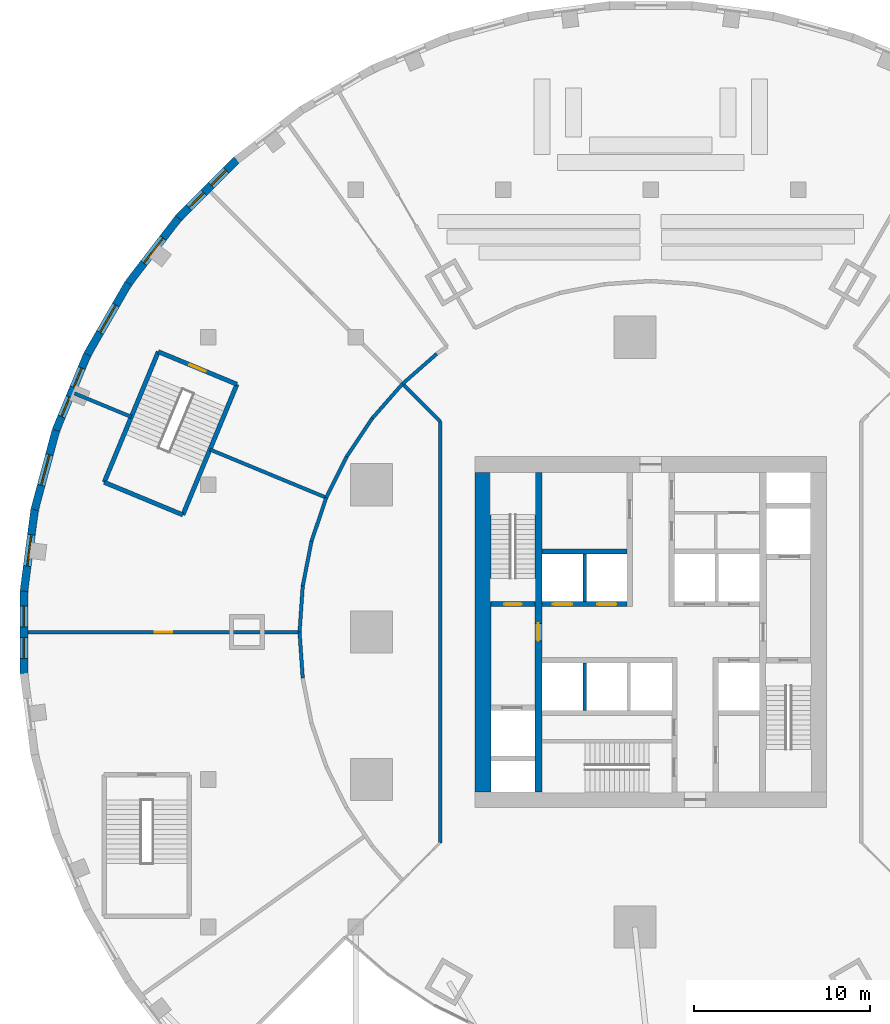
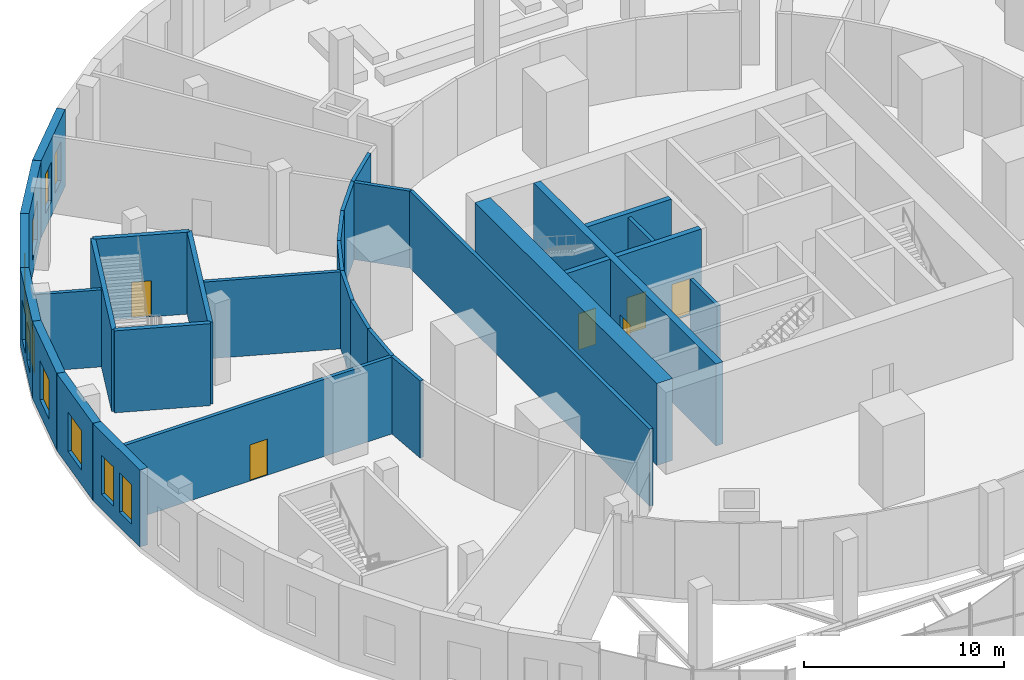
# One storey, part 9 of 17: 31 walls, 10 windows, 6 doors, 16 openings.
"""IFC4 building model written with IfcOpenShell, lengths in metres."""

import ifcopenshell
import ifcopenshell.guid

model = None  # the IFC model being written
_history = None  # IfcOwnerHistory: only IFC2X3 demands one
_inside = {}  # id of a spatial element -> (the spatial element, [elements in it])
_under = {}  # id of a project, library or spatial element -> (it, [spatial elements below it])
_declared = {}  # id of a project -> (the project, [libraries it declares])
_typed = {}  # id of a type object -> (the type object, [elements of that type])
_made_of = {}  # id of a material, layer set ... -> (it, [elements and type objects made of it])


def new_model(schema):
    """Start an empty IFC model of exactly this schema.

    Asked for "IFC4X3", IfcOpenShell would pick the latest addendum, in which some entities
    have other attributes; the version numbers below select the first issue.
    IFC2X3 requires an IfcOwnerHistory on every rooted entity: one is made here for all.
    """
    global model, _history
    if schema == "IFC4X3":
        model = ifcopenshell.file(schema_version=(4, 3, 0, 0))
    else:
        model = ifcopenshell.file(schema=schema)
    _inside.clear()
    _under.clear()
    _declared.clear()
    _typed.clear()
    _made_of.clear()
    _history = None
    if model.schema == "IFC2X3":
        org = make("IfcOrganization", Name="unknown")
        user = make(
            "IfcPersonAndOrganization",
            ThePerson=make("IfcPerson", FamilyName="unknown"),
            TheOrganization=org,
        )
        app = make(
            "IfcApplication",
            ApplicationDeveloper=org,
            Version="unknown",
            ApplicationFullName="unknown",
            ApplicationIdentifier="unknown",
        )
        _history = make(
            "IfcOwnerHistory",
            OwningUser=user,
            OwningApplication=app,
            ChangeAction="ADDED",
            CreationDate=0,
        )
    return model


def make(cls, **values):
    """One entity of the class cls with the attributes given. An attribute that is None is left unset."""
    return model.create_entity(
        cls, **{name: value for name, value in values.items() if value is not None}
    )


def rooted(cls, **values):
    """An entity with a GlobalId (a new one), such as an element, a storey or a relation."""
    return make(cls, GlobalId=ifcopenshell.guid.new(), OwnerHistory=_history, **values)


def si_unit(unit_type, name, prefix=None):
    """IfcSIUnit, for example si_unit("LENGTHUNIT", "METRE", prefix="MILLI")."""
    return make("IfcSIUnit", UnitType=unit_type, Prefix=prefix, Name=name)


def assignment(units):
    """IfcUnitAssignment: the units of a project."""
    return None if units is None else make("IfcUnitAssignment", Units=units)


def point(xyz):
    """IfcCartesianPoint."""
    return None if xyz is None else make("IfcCartesianPoint", Coordinates=xyz)


def direction(xyz):
    """IfcDirection."""
    return None if xyz is None else make("IfcDirection", DirectionRatios=xyz)


def frame(location, z_axis=None, x_axis=None):
    """IfcAxis2Placement3D, a coordinate frame: its origin and axes. An axis left out is left unset."""
    return make(
        "IfcAxis2Placement3D",
        Location=point(location),
        Axis=direction(z_axis),
        RefDirection=direction(x_axis),
    )


def frame_2d(location, x_axis=None):
    """IfcAxis2Placement2D, a coordinate frame in the plane: its origin and x axis."""
    return make(
        "IfcAxis2Placement2D", Location=point(location), RefDirection=direction(x_axis)
    )


def origin():
    """The frame at (0, 0, 0) with its axes left unset."""
    return frame((0.0, 0.0, 0.0))


def place(relative_to, where):
    """IfcLocalPlacement: puts the frame where relative to a parent placement (None: the world)."""
    return make(
        "IfcLocalPlacement", PlacementRelTo=relative_to, RelativePlacement=where
    )


def context(
    kind, dimensions, precision=None, world=None, true_north=None, identifier=None
):
    """IfcGeometricRepresentationContext, for example the 3D "Model" context."""
    return make(
        "IfcGeometricRepresentationContext",
        ContextIdentifier=identifier,
        ContextType=kind,
        CoordinateSpaceDimension=dimensions,
        Precision=precision,
        WorldCoordinateSystem=world,
        TrueNorth=true_north,
    )


def subcontext(parent, identifier, kind, view, scale=None):
    """IfcGeometricRepresentationSubContext, for example "Body" below "Model"."""
    return make(
        "IfcGeometricRepresentationSubContext",
        ContextIdentifier=identifier,
        ContextType=kind,
        ParentContext=parent,
        TargetScale=scale,
        TargetView=view,
    )


def project(units=None, contexts=None):
    """IfcProject with its units and contexts."""
    return rooted(
        "IfcProject",
        Name="project",
        RepresentationContexts=contexts,
        UnitsInContext=assignment(units),
    )


def spatial(cls, under=None, at=None, **own):
    """A site, building, storey or space (cls), placed at a placement, below another one or the project."""
    s = rooted(cls, ObjectPlacement=at, **own)
    if under is not None:
        _under.setdefault(under.id(), (under, []))[1].append(s)
    return s


def profile(cls, at=None, kind="AREA", **sizes):
    """A parametric profile (cls). Its sizes go by their IFC names, for example OverallWidth=200.0."""
    return make(cls, ProfileType=kind, Position=at, **sizes)


def rectangle(**sizes):
    """IfcRectangleProfileDef."""
    return profile("IfcRectangleProfileDef", **sizes)


def extrude(swept, where, along, depth):
    """IfcExtrudedAreaSolid: the profile swept, set in the frame where, extruded along a direction by depth."""
    return make(
        "IfcExtrudedAreaSolid",
        SweptArea=swept,
        Position=where,
        ExtrudedDirection=direction(along),
        Depth=depth,
    )


def shape(context_of_items, identifier, shape_type, items):
    """IfcShapeRepresentation: the items that make up one representation, for example the "Body"."""
    return make(
        "IfcShapeRepresentation",
        ContextOfItems=context_of_items,
        RepresentationIdentifier=identifier,
        RepresentationType=shape_type,
        Items=items,
    )


def material(Name=None, Category=None):
    """IfcMaterial."""
    return make("IfcMaterial", Name=Name, Category=Category)


def layer(
    of_material, thickness, ventilated=None, Name=None, Category=None, Priority=None
):
    """IfcMaterialLayer: one layer of a wall or slab, of a material (None: an air gap)."""
    return make(
        "IfcMaterialLayer",
        Material=of_material,
        LayerThickness=thickness,
        IsVentilated=ventilated,
        Name=Name,
        Category=Category,
        Priority=Priority,
    )


def layer_set(layers, Name=None):
    """IfcMaterialLayerSet."""
    return make("IfcMaterialLayerSet", MaterialLayers=layers, LayerSetName=Name)


def made_of(thing, what):
    """Note that an element or type object is made of a material, layer set ...; save() writes the relation."""
    if what is not None:
        _made_of.setdefault(what.id(), (what, []))[1].append(thing)
    return thing


def type_object(cls, material=None, **own):
    """A type object (cls), such as IfcWallType, which elements share."""
    return made_of(rooted(cls, **own), material)


def element(
    cls,
    number,
    at=None,
    inside=None,
    cuts=None,
    type_object=None,
    material=None,
    context=None,
    identifier="Body",
    shape_type=None,
    held_by="IfcProductDefinitionShape",
    body=None,
    shapes=None,
    **own,
):
    """One element of the class cls, such as IfcWall. Its Tag is "e" and its number.

    at: its placement. inside: the storey or other place that contains it. cuts: it is an
    opening in that element (IfcRelVoidsElement). A single representation is given by context,
    identifier, shape_type and body (its items); several are given by shapes. held_by: the class
    of the entity that holds the representations. save() writes the other relations.
    """
    e = rooted(cls, Tag="e%d" % number, ObjectPlacement=at, **own)
    if body is not None:
        shapes = [shape(context, identifier, shape_type, body)]
    if shapes is not None:
        e.Representation = make(held_by, Representations=shapes)
    if inside is not None:
        _inside.setdefault(inside.id(), (inside, []))[1].append(e)
    if cuts is not None:
        rooted(
            "IfcRelVoidsElement", RelatingBuildingElement=cuts, RelatedOpeningElement=e
        )
    if type_object is not None:
        _typed.setdefault(type_object.id(), (type_object, []))[1].append(e)
    return made_of(e, material)


def fill(opening, filler):
    """IfcRelFillsElement: the door or window that sits in an opening."""
    return rooted(
        "IfcRelFillsElement",
        RelatingOpeningElement=opening,
        RelatedBuildingElement=filler,
    )


def aggregate(whole, parts):
    """IfcRelAggregates: a whole, such as a stair, and the parts it consists of."""
    return rooted("IfcRelAggregates", RelatingObject=whole, RelatedObjects=parts)


def save(model, path):
    """Write the relations noted so far, then the file.

    IfcRelAggregates (storeys below a building ...), IfcRelContainedInSpatialStructure (elements
    in a storey), IfcRelDefinesByType, IfcRelAssociatesMaterial and IfcRelDeclares: one each for
    every whole, place, type object, material and project.
    """
    for whole, parts in _under.values():
        aggregate(whole, parts)
    for where, things in _inside.values():
        rooted(
            "IfcRelContainedInSpatialStructure",
            RelatedElements=things,
            RelatingStructure=where,
        )
    for kind, things in _typed.values():
        rooted("IfcRelDefinesByType", RelatedObjects=things, RelatingType=kind)
    for what, things in _made_of.values():
        rooted("IfcRelAssociatesMaterial", RelatedObjects=things, RelatingMaterial=what)
    for by, libraries in _declared.values():
        rooted("IfcRelDeclares", RelatingContext=by, RelatedDefinitions=libraries)
    model.write(path)


model = new_model("IFC4")

# Units and contexts
model_context = context("Model", 3, precision=1e-05, world=origin(), true_north=direction((0.0, 1.0)))
body_context = subcontext(model_context, "Body", "Model", "MODEL_VIEW")
ifc_project = project(units=[si_unit("LENGTHUNIT", "METRE"), si_unit("AREAUNIT", "SQUARE_METRE"), si_unit("VOLUMEUNIT", "CUBIC_METRE"), si_unit("PLANEANGLEUNIT", "RADIAN"), si_unit("MASSUNIT", "GRAM", prefix="KILO")], contexts=[model_context])

# Site, building, storey
site_placement = place(None, origin())
site = spatial("IfcSite", under=ifc_project, at=site_placement, CompositionType="ELEMENT")
building_placement = place(site_placement, origin())
building = spatial("IfcBuilding", under=site, at=building_placement, Name="Golbaran Civic Tower", CompositionType="ELEMENT")
storey_placement = place(building_placement, frame((0.0, 0.0, 6.0)))
storey = spatial("IfcBuildingStorey", under=building, at=storey_placement, Name="L01", CompositionType="ELEMENT", Elevation=6.0)

# Wall, opening, door
ifc_material_1 = material(Name="Concrete C50/60", Category="concrete")
ifc_layer_1 = layer(ifc_material_1, 0.39990234375, Name="Concrete C50/60")
ifc_layer_set_1 = layer_set([ifc_layer_1], Name="Concrete C50/60")
wall_type_1 = type_object("IfcWallType", Name="CORE WALL CONCRETE 400", PredefinedType="SOLIDWALL", material=ifc_layer_set_1)
wall_1_placement = place(storey_placement, frame((-6.39990234375, -9.10009765625, 0.0), z_axis=(0.0, 0.0, 1.0), x_axis=(0.0, 1.0, 0.0)))
wall_1 = element("IfcWall", 1, at=wall_1_placement, inside=storey, type_object=wall_type_1, Name="Core wall IW L01", PredefinedType="SOLIDWALL", context=body_context, shape_type="SweptSolid", body=[
    extrude(rectangle(XDim=18.2001953125, YDim=0.39990234375, at=frame_2d((9.10009765625, 0.0))), origin(), (0.0, 0.0, 1.0), 5.0),
])
opening_1_placement = place(wall_1_placement, frame((8.60009765625, 0.0, 0.0)))
opening_1 = element("IfcOpeningElement", 2, at=opening_1_placement, cuts=wall_1, Name="Opening L01.FL1", PredefinedType="OPENING", context=body_context, shape_type="SweptSolid", body=[
    extrude(rectangle(XDim=1.0, YDim=2.199951171875, at=frame_2d((0.5, 1.10009765625))), frame((0.0, 0.2099609375, 0.0), z_axis=(0.0, -1.0, 0.0), x_axis=(1.0, 0.0, 0.0)), (0.0, 0.0, 1.0), 0.419921875),
])
ifc_material_2 = material(Name="Timber door set in steel frame", Category="steel")
door_type_1 = type_object("IfcDoorType", Name="STAIR DOOR 1000x2200", OperationType="SINGLE_SWING_LEFT", PredefinedType="DOOR", material=ifc_material_2)
door_1_placement = place(opening_1_placement, origin())
door_1 = element("IfcDoor", 3, at=door_1_placement, inside=storey, type_object=door_type_1, Name="Fire-fighting lobby FL1 door", OperationType="SINGLE_SWING_LEFT", OverallHeight=2.199951171875, OverallWidth=1.0, PredefinedType="DOOR", context=body_context, shape_type="SweptSolid", body=[
    extrude(rectangle(XDim=1.0, YDim=2.199951171875, at=frame_2d((0.5, 1.10009765625))), frame((0.0, 0.02490234375, 0.0), z_axis=(0.0, -1.0, 0.0), x_axis=(1.0, 0.0, 0.0)), (0.0, 0.0, 1.0), 0.050048828125),
])
fill(opening_1, door_1)

# Walls
ifc_layer_2 = layer(ifc_material_1, 0.89990234375, Name="Concrete C50/60")
ifc_layer_set_2 = layer_set([ifc_layer_2], Name="Concrete C50/60")
wall_type_2 = type_object("IfcWallType", Name="CORE WALL CONCRETE 900", PredefinedType="SOLIDWALL", material=ifc_layer_set_2)
wall_2_placement = place(storey_placement, frame((-9.550048828125, 9.10009765625, 0.0), z_axis=(0.0, 0.0, 1.0), x_axis=(0.0, -1.0, 0.0)))
element("IfcWall", 4, at=wall_2_placement, inside=storey, type_object=wall_type_2, Name="Core wall CW L01", PredefinedType="SOLIDWALL", context=body_context, shape_type="SweptSolid", body=[
    extrude(rectangle(XDim=18.2001953125, YDim=0.89990234375, at=frame_2d((9.10009765625, 0.0))), origin(), (0.0, 0.0, 1.0), 5.0),
])
ifc_material_3 = material(Name="Concrete block", Category="concrete")
ifc_layer_3 = layer(ifc_material_3, 0.199951171875, Name="Concrete block")
ifc_layer_set_3 = layer_set([ifc_layer_3], Name="Concrete block")
wall_type_3 = type_object("IfcWallType", Name="LIFT SEPARATOR WALL 200", PredefinedType="SOLIDWALL", material=ifc_layer_set_3)
for number, where, z_axis, x_axis, name in (
    (5, (-3.75, 1.75, 0.0), (0.0, 0.0, 1.0), (0.0, 1.0, 0.0), "Core partition SNW L01"),
    (6, (-3.75, -1.75, 0.0), (0.0, 0.0, 1.0), (0.0, -1.0, 0.0), "Core partition SSW L01"),
):
    element("IfcWall", number, at=place(storey_placement, frame(where, z_axis=z_axis, x_axis=x_axis)), inside=storey, type_object=wall_type_3, Name=name, PredefinedType="SOLIDWALL", context=body_context, shape_type="SweptSolid", body=[
        extrude(rectangle(XDim=2.699951171875, YDim=0.199951171875, at=frame_2d((1.35009765625, 0.0))), origin(), (0.0, 0.0, 1.0), 4.75),
    ])

# Wall, opening, door
ifc_material_4 = material(Name="Concrete block, plastered", Category="concrete")
ifc_layer_4 = layer(ifc_material_4, 0.199951171875, Name="Concrete block, plastered")
ifc_layer_set_4 = layer_set([ifc_layer_4], Name="Concrete block, plastered")
wall_type_4 = type_object("IfcWallType", Name="PODIUM PARTITION 200", PredefinedType="PARTITIONING", material=ifc_layer_set_4)
wall_3_placement = place(storey_placement, frame((-35.52001953125, 0.0, 0.0), z_axis=(0.0, 0.0, 1.0), x_axis=(1.0, 0.0, 0.0)))
wall_3 = element("IfcWall", 7, at=wall_3_placement, inside=storey, type_object=wall_type_4, Name="Podium partition L01", PredefinedType="PARTITIONING", context=body_context, shape_type="SweptSolid", body=[
    extrude(rectangle(XDim=15.52001953125, YDim=0.199951171875, at=frame_2d((7.760009765625, 0.0))), origin(), (0.0, 0.0, 1.0), 4.699951171875),
])
opening_2_placement = place(wall_3_placement, frame((7.260009765625, 0.0, 0.0)))
opening_2 = element("IfcOpeningElement", 8, at=opening_2_placement, cuts=wall_3, Name="Opening L01.09", PredefinedType="OPENING", context=body_context, shape_type="SweptSolid", body=[
    extrude(rectangle(XDim=1.0, YDim=2.199951171875, at=frame_2d((0.5, 1.10009765625))), frame((0.0, 0.10986328125, 0.0), z_axis=(0.0, -1.0, 0.0), x_axis=(1.0, 0.0, 0.0)), (0.0, 0.0, 1.0), 0.219970703125),
])
door_type_2 = type_object("IfcDoorType", Name="OFFICE DOOR 1000x2200", OperationType="SINGLE_SWING_LEFT", PredefinedType="DOOR", material=ifc_material_2)
door_2_placement = place(opening_2_placement, origin())
door_2 = element("IfcDoor", 9, at=door_2_placement, inside=storey, type_object=door_type_2, Name="Committee Clerks' Office 1 door", OperationType="SINGLE_SWING_LEFT", OverallHeight=2.199951171875, OverallWidth=1.0, PredefinedType="DOOR", context=body_context, shape_type="SweptSolid", body=[
    extrude(rectangle(XDim=1.0, YDim=2.199951171875, at=frame_2d((0.5, 1.10009765625))), frame((0.0, 0.02490234375, 0.0), z_axis=(0.0, -1.0, 0.0), x_axis=(1.0, 0.0, 0.0)), (0.0, 0.0, 1.0), 0.050048828125),
])
fill(opening_2, door_2)

# Walls
wall_4_placement = place(storey_placement, frame((-32.820068359375, 13.60009765625, 0.0), z_axis=(0.0, 0.0, 1.0), x_axis=(0.924077050269, -0.382206233813, 0.0)))
element("IfcWall", 10, at=wall_4_placement, inside=storey, type_object=wall_type_4, Name="Podium partition L01", PredefinedType="PARTITIONING", context=body_context, shape_type="SweptSolid", body=[
    extrude(rectangle(XDim=3.506103515625, YDim=0.199951171875, at=frame_2d((1.7529296875, 0.0))), origin(), (0.0, 0.0, 1.0), 4.699951171875),
])
wall_5_placement = place(storey_placement, frame((-25.10009765625, 10.39990234375, 0.0), z_axis=(0.0, 0.0, 1.0), x_axis=(0.923985694571, -0.382427033861, 0.0)))
element("IfcWall", 11, at=wall_5_placement, inside=storey, type_object=wall_type_4, Name="Podium partition L01", PredefinedType="PARTITIONING", context=body_context, shape_type="SweptSolid", body=[
    extrude(rectangle(XDim=7.164794921875, YDim=0.199951171875, at=frame_2d((3.58251953125, 0.0))), origin(), (0.0, 0.0, 1.0), 4.699951171875),
])
for number, where, z_axis, x_axis, name in (
    (12, (-20.0, 0.0, 0.0), (0.0, 0.0, 1.0), (0.068511766427, -0.997650308405, 0.0), "Podium partition L01"),
    (13, (-20.0, 0.0, 0.0), (0.0, 0.0, 1.0), (0.068511766427, 0.997650308405, 0.0), "Podium partition L01"),
):
    element("IfcWall", number, at=place(storey_placement, frame(where, z_axis=z_axis, x_axis=x_axis)), inside=storey, type_object=wall_type_4, Name=name, PredefinedType="PARTITIONING", context=body_context, shape_type="SweptSolid", body=[
        extrude(rectangle(XDim=2.626220703125, YDim=0.199951171875, at=frame_2d((1.31298828125, 0.0))), origin(), (0.0, 0.0, 1.0), 4.699951171875),
    ])
wall_6_placement = place(storey_placement, frame((-19.820068359375, 2.6201171875, 0.0), z_axis=(0.0, 0.0, 1.0), x_axis=(0.191703896297, 0.981452808924, 0.0)))
element("IfcWall", 14, at=wall_6_placement, inside=storey, type_object=wall_type_4, Name="Podium partition L01", PredefinedType="PARTITIONING", context=body_context, shape_type="SweptSolid", body=[
    extrude(rectangle(XDim=2.608154296875, YDim=0.199951171875, at=frame_2d((1.30419921875, 0.0))), origin(), (0.0, 0.0, 1.0), 4.699951171875),
])
wall_7_placement = place(storey_placement, frame((-19.320068359375, 5.179931640625, 0.0), z_axis=(0.0, 0.0, 1.0), x_axis=(0.320839411875, 0.947133608203, 0.0)))
element("IfcWall", 15, at=wall_7_placement, inside=storey, type_object=wall_type_4, Name="Podium partition L01", PredefinedType="PARTITIONING", context=body_context, shape_type="SweptSolid", body=[
    extrude(rectangle(XDim=2.618408203125, YDim=0.199951171875, at=frame_2d((1.30908203125, 0.0))), origin(), (0.0, 0.0, 1.0), 4.699951171875),
])
wall_8_placement = place(storey_placement, frame((-18.47998046875, 7.659912109375, 0.0), z_axis=(0.0, 0.0, 1.0), x_axis=(0.444107479291, 0.895973519049, 0.0)))
element("IfcWall", 16, at=wall_8_placement, inside=storey, type_object=wall_type_4, Name="Podium partition L01", PredefinedType="PARTITIONING", context=body_context, shape_type="SweptSolid", body=[
    extrude(rectangle(XDim=2.61181640625, YDim=0.199951171875, at=frame_2d((1.305908203125, 0.0))), origin(), (0.0, 0.0, 1.0), 4.699951171875),
])
wall_9_placement = place(storey_placement, frame((-17.320068359375, 10.0, 0.0), z_axis=(0.0, 0.0, 1.0), x_axis=(0.556459812229, 0.83087452565, 0.0)))
element("IfcWall", 17, at=wall_9_placement, inside=storey, type_object=wall_type_4, Name="Podium partition L01", PredefinedType="PARTITIONING", context=body_context, shape_type="SweptSolid", body=[
    extrude(rectangle(XDim=2.623779296875, YDim=0.199951171875, at=frame_2d((1.31201171875, 0.0))), origin(), (0.0, 0.0, 1.0), 4.699951171875),
])
for number, where, z_axis, x_axis, name in (
    (18, (-15.860107421875, 12.179931640625, 0.0), (0.0, 0.0, 1.0), (0.659643857667, 0.751578326618, 0.0), "Podium partition L01"),
    (19, (-14.139892578125, 14.139892578125, 0.0), (0.0, 0.0, 1.0), (0.751578326618, 0.659643857667, 0.0), "Podium partition L01"),
):
    element("IfcWall", number, at=place(storey_placement, frame(where, z_axis=z_axis, x_axis=x_axis)), inside=storey, type_object=wall_type_4, Name=name, PredefinedType="PARTITIONING", context=body_context, shape_type="SweptSolid", body=[
        extrude(rectangle(XDim=2.60791015625, YDim=0.199951171875, at=frame_2d((1.303955078125, 0.0))), origin(), (0.0, 0.0, 1.0), 4.699951171875),
    ])
wall_10_placement = place(storey_placement, frame((-14.139892578125, 14.139892578125, 0.0), z_axis=(0.0, 0.0, 1.0), x_axis=(0.707106781187, -0.707106781187, 0.0)))
element("IfcWall", 20, at=wall_10_placement, inside=storey, type_object=wall_type_4, Name="Podium partition L01", PredefinedType="PARTITIONING", context=body_context, shape_type="SweptSolid", body=[
    extrude(rectangle(XDim=3.0263671875, YDim=0.199951171875, at=frame_2d((1.51318359375, 0.0))), origin(), (0.0, 0.0, 1.0), 4.699951171875),
])
wall_11_placement = place(storey_placement, frame((-12.0, 12.0, 0.0), z_axis=(0.0, 0.0, 1.0), x_axis=(0.0, -1.0, 0.0)))
element("IfcWall", 21, at=wall_11_placement, inside=storey, type_object=wall_type_4, Name="Podium corridor wall L01", PredefinedType="PARTITIONING", context=body_context, shape_type="SweptSolid", body=[
    extrude(rectangle(XDim=24.0, YDim=0.199951171875, at=frame_2d((12.0, 0.0))), origin(), (0.0, 0.0, 1.0), 4.699951171875),
])

# Wall, openings, doors
ifc_layer_5 = layer(ifc_material_1, 0.300048828125, Name="Concrete C50/60")
ifc_layer_set_5 = layer_set([ifc_layer_5], Name="Concrete C50/60")
wall_type_5 = type_object("IfcWallType", Name="SHAFT WALL CONCRETE 300", PredefinedType="SOLIDWALL", material=ifc_layer_set_5)
wall_12_placement = place(storey_placement, frame((-6.199951171875, 1.60009765625, 0.0), z_axis=(0.0, 0.0, 1.0), x_axis=(1.0, 0.0, 0.0)))
wall_12 = element("IfcWall", 22, at=wall_12_placement, inside=storey, type_object=wall_type_5, Name="Core wall FNW L01", PredefinedType="SOLIDWALL", context=body_context, shape_type="SweptSolid", body=[
    extrude(rectangle(XDim=4.849853515625, YDim=0.300048828125, at=frame_2d((2.4248046875, 0.0))), origin(), (0.0, 0.0, 1.0), 5.0),
])
opening_3_placement = place(wall_12_placement, frame((0.625, 0.0, 0.0)))
opening_3 = element("IfcOpeningElement", 23, at=opening_3_placement, cuts=wall_12, Name="Opening L01.LD-Z1L", PredefinedType="OPENING", context=body_context, shape_type="SweptSolid", body=[
    extrude(rectangle(XDim=1.10009765625, YDim=2.199951171875, at=frame_2d((0.550048828125, 1.10009765625))), frame((0.0, 0.159912109375, 0.0), z_axis=(0.0, -1.0, 0.0), x_axis=(1.0, 0.0, 0.0)), (0.0, 0.0, 1.0), 0.320068359375),
])
opening_4_placement = place(wall_12_placement, frame((3.14990234375, 0.0, 0.0)))
opening_4 = element("IfcOpeningElement", 24, at=opening_4_placement, cuts=wall_12, Name="Opening L01.LD-Z2L", PredefinedType="OPENING", context=body_context, shape_type="SweptSolid", body=[
    extrude(rectangle(XDim=1.10009765625, YDim=2.199951171875, at=frame_2d((0.550048828125, 1.10009765625))), frame((0.0, 0.159912109375, 0.0), z_axis=(0.0, -1.0, 0.0), x_axis=(1.0, 0.0, 0.0)), (0.0, 0.0, 1.0), 0.320068359375),
])
ifc_material_5 = material(Name="Stainless steel", Category="steel")
door_type_3 = type_object("IfcDoorType", Name="LIFT LANDING DOOR 1100x2200", OperationType="SLIDING_TO_LEFT", PredefinedType="DOOR", material=ifc_material_5)
door_3_placement = place(opening_3_placement, origin())
door_3 = element("IfcDoor", 25, at=door_3_placement, inside=storey, type_object=door_type_3, Name="Lift landing door Z1L", OperationType="SLIDING_TO_LEFT", OverallHeight=2.199951171875, OverallWidth=1.10009765625, PredefinedType="DOOR", context=body_context, shape_type="SweptSolid", body=[
    extrude(rectangle(XDim=1.10009765625, YDim=2.199951171875, at=frame_2d((0.550048828125, 1.10009765625))), frame((0.0, 0.02490234375, 0.0), z_axis=(0.0, -1.0, 0.0), x_axis=(1.0, 0.0, 0.0)), (0.0, 0.0, 1.0), 0.050048828125),
])
fill(opening_3, door_3)
door_4_placement = place(opening_4_placement, origin())
door_4 = element("IfcDoor", 26, at=door_4_placement, inside=storey, type_object=door_type_3, Name="Lift landing door Z2L", OperationType="SLIDING_TO_LEFT", OverallHeight=2.199951171875, OverallWidth=1.10009765625, PredefinedType="DOOR", context=body_context, shape_type="SweptSolid", body=[
    extrude(rectangle(XDim=1.10009765625, YDim=2.199951171875, at=frame_2d((0.550048828125, 1.10009765625))), frame((0.0, 0.02490234375, 0.0), z_axis=(0.0, -1.0, 0.0), x_axis=(1.0, 0.0, 0.0)), (0.0, 0.0, 1.0), 0.050048828125),
])
fill(opening_4, door_4)

# Wall
wall_13_placement = place(storey_placement, frame((-6.199951171875, 4.60009765625, 0.0), z_axis=(0.0, 0.0, 1.0), x_axis=(1.0, 0.0, 0.0)))
element("IfcWall", 27, at=wall_13_placement, inside=storey, type_object=wall_type_5, Name="Core wall BNW L01", PredefinedType="SOLIDWALL", context=body_context, shape_type="SweptSolid", body=[
    extrude(rectangle(XDim=4.849853515625, YDim=0.300048828125, at=frame_2d((2.4248046875, 0.0))), origin(), (0.0, 0.0, 1.0), 5.0),
])

# Wall, opening, door
wall_14_placement = place(storey_placement, frame((-9.10009765625, 1.60009765625, 0.0), z_axis=(0.0, 0.0, 1.0), x_axis=(1.0, 0.0, 0.0)))
wall_14 = element("IfcWall", 28, at=wall_14_placement, inside=storey, type_object=wall_type_5, Name="Core wall XW1 L01", PredefinedType="SOLIDWALL", context=body_context, shape_type="SweptSolid", body=[
    extrude(rectangle(XDim=2.5, YDim=0.300048828125, at=frame_2d((1.25, 0.0))), origin(), (0.0, 0.0, 1.0), 5.0),
])
opening_5_placement = place(wall_14_placement, frame((0.75, 0.0, 0.0)))
opening_5 = element("IfcOpeningElement", 29, at=opening_5_placement, cuts=wall_14, Name="Opening L01.S1", PredefinedType="OPENING", context=body_context, shape_type="SweptSolid", body=[
    extrude(rectangle(XDim=1.0, YDim=2.199951171875, at=frame_2d((0.5, 1.10009765625))), frame((0.0, 0.159912109375, 0.0), z_axis=(0.0, -1.0, 0.0), x_axis=(1.0, 0.0, 0.0)), (0.0, 0.0, 1.0), 0.320068359375),
])
door_5_placement = place(opening_5_placement, origin())
door_5 = element("IfcDoor", 30, at=door_5_placement, inside=storey, type_object=door_type_1, Name="Stair S1 door", OperationType="SINGLE_SWING_LEFT", OverallHeight=2.199951171875, OverallWidth=1.0, PredefinedType="DOOR", context=body_context, shape_type="SweptSolid", body=[
    extrude(rectangle(XDim=1.0, YDim=2.199951171875, at=frame_2d((0.5, 1.10009765625))), frame((0.0, 0.02490234375, 0.0), z_axis=(0.0, -1.0, 0.0), x_axis=(1.0, 0.0, 0.0)), (0.0, 0.0, 1.0), 0.050048828125),
])
fill(opening_5, door_5)

ifc_layer_6 = layer(ifc_material_1, 0.25, Name="Concrete C50/60")
ifc_layer_set_6 = layer_set([ifc_layer_6], Name="Concrete C50/60")
wall_type_6 = type_object("IfcWallType", Name="STAIR ENCLOSURE WALL CONCRETE 250", PredefinedType="SOLIDWALL", material=ifc_layer_set_6)
wall_15_placement = place(storey_placement, frame((-28.046875, 15.97412109375, 0.0), z_axis=(0.0, 0.0, 1.0), x_axis=(0.923862828997, -0.382723755727, 0.0)))
wall_15 = element("IfcWall", 31, at=wall_15_placement, inside=storey, type_object=wall_type_6, Name="Stair P2 enclosure A L01", PredefinedType="SOLIDWALL", context=body_context, shape_type="SweptSolid", body=[
    extrude(rectangle(XDim=4.85009765625, YDim=0.25, at=frame_2d((2.425048828125, 0.0))), origin(), (0.0, 0.0, 1.0), 5.0),
])
opening_6_placement = place(wall_15_placement, frame((1.925048828125, 0.0, 0.0)))
opening_6 = element("IfcOpeningElement", 32, at=opening_6_placement, cuts=wall_15, Name="Opening L01.P2", PredefinedType="OPENING", context=body_context, shape_type="SweptSolid", body=[
    extrude(rectangle(XDim=1.0, YDim=2.199951171875, at=frame_2d((0.5, 1.10009765625))), frame((0.0, 0.135009765625, 0.0), z_axis=(0.0, -1.0, 0.0), x_axis=(1.0, 0.0, 0.0)), (0.0, 0.0, 1.0), 0.27001953125),
])
door_6_placement = place(opening_6_placement, origin())
door_6 = element("IfcDoor", 33, at=door_6_placement, inside=storey, type_object=door_type_1, Name="Stair P2 door", OperationType="SINGLE_SWING_LEFT", OverallHeight=2.199951171875, OverallWidth=1.0, PredefinedType="DOOR", context=body_context, shape_type="SweptSolid", body=[
    extrude(rectangle(XDim=1.0, YDim=2.199951171875, at=frame_2d((0.5, 1.10009765625))), frame((0.0, 0.02490234375, 0.0), z_axis=(0.0, -1.0, 0.0), x_axis=(1.0, 0.0, 0.0)), (0.0, 0.0, 1.0), 0.050048828125),
])
fill(opening_6, door_6)

# Walls
wall_16_placement = place(storey_placement, frame((-23.566162109375, 14.117919921875, 0.0), z_axis=(0.0, 0.0, 1.0), x_axis=(-0.382689294869, -0.923877104161, 0.0)))
element("IfcWall", 34, at=wall_16_placement, inside=storey, type_object=wall_type_6, Name="Stair P2 enclosure B L01", PredefinedType="SOLIDWALL", context=body_context, shape_type="SweptSolid", body=[
    extrude(rectangle(XDim=8.0498046875, YDim=0.25, at=frame_2d((4.02490234375, 0.0))), origin(), (0.0, 0.0, 1.0), 5.0),
])
wall_17_placement = place(storey_placement, frame((-26.646728515625, 6.680908203125, 0.0), z_axis=(0.0, 0.0, 1.0), x_axis=(-0.923880627248, 0.382680789426, 0.0)))
element("IfcWall", 35, at=wall_17_placement, inside=storey, type_object=wall_type_6, Name="Stair P2 enclosure C L01", PredefinedType="SOLIDWALL", context=body_context, shape_type="SweptSolid", body=[
    extrude(rectangle(XDim=4.849853515625, YDim=0.25, at=frame_2d((2.4248046875, 0.0))), origin(), (0.0, 0.0, 1.0), 5.0),
])
wall_18_placement = place(storey_placement, frame((-31.12744140625, 8.536865234375, 0.0), z_axis=(0.0, 0.0, 1.0), x_axis=(0.382678572144, 0.923881545666, 0.0)))
element("IfcWall", 36, at=wall_18_placement, inside=storey, type_object=wall_type_6, Name="Stair P2 enclosure D L01", PredefinedType="SOLIDWALL", context=body_context, shape_type="SweptSolid", body=[
    extrude(rectangle(XDim=8.050048828125, YDim=0.25, at=frame_2d((4.02490234375, 0.0))), origin(), (0.0, 0.0, 1.0), 5.0),
])

# Wall, openings, windows
ifc_material_6 = material(Name="Terracotta brick", Category="masonry")
ifc_layer_7 = layer(ifc_material_6, 0.449951171875, Name="Terracotta brick")
ifc_layer_set_7 = layer_set([ifc_layer_7], Name="Terracotta brick")
wall_type_7 = type_object("IfcWallType", Name="TERRACOTTA BRICK FACADE WALL 450", PredefinedType="SOLIDWALL", material=ifc_layer_set_7)
wall_19_placement = place(storey_placement, frame((-23.588134765625, 26.89697265625, 0.0), z_axis=(0.0, 0.0, 1.0), x_axis=(-0.707106781187, -0.707106781187, 0.0)))
wall_19 = element("IfcWall", 37, at=wall_19_placement, inside=storey, type_object=wall_type_7, Name="Podium wall L01 facet 18", PredefinedType="SOLIDWALL", context=body_context, shape_type="SweptSolid", body=[
    extrude(rectangle(XDim=4.679443359375, YDim=0.449951171875, at=frame_2d((2.33984375, 0.0))), origin(), (0.0, 0.0, 1.0), 4.699951171875),
])
opening_7_placement = place(wall_19_placement, frame((0.840087890625, 0.0, 0.89990234375)))
opening_7 = element("IfcOpeningElement", 38, at=opening_7_placement, cuts=wall_19, Name="Opening L01.W21", PredefinedType="OPENING", context=body_context, shape_type="SweptSolid", body=[
    extrude(rectangle(XDim=1.199951171875, YDim=2.39990234375, at=frame_2d((0.60009765625, 1.199951171875))), frame((0.0, 0.23486328125, 0.0), z_axis=(0.0, -1.0, 0.0), x_axis=(1.0, 0.0, 0.0)), (0.0, 0.0, 1.0), 0.469970703125),
])
opening_8_placement = place(wall_19_placement, frame((2.639892578125, 0.0, 0.89990234375)))
opening_8 = element("IfcOpeningElement", 39, at=opening_8_placement, cuts=wall_19, Name="Opening L01.W22", PredefinedType="OPENING", context=body_context, shape_type="SweptSolid", body=[
    extrude(rectangle(XDim=1.199951171875, YDim=2.39990234375, at=frame_2d((0.60009765625, 1.199951171875))), frame((0.0, 0.23486328125, 0.0), z_axis=(0.0, -1.0, 0.0), x_axis=(1.0, 0.0, 0.0)), (0.0, 0.0, 1.0), 0.469970703125),
])
ifc_material_7 = material(Name="Aluminium frame, clear glass", Category="aluminium")
window_type_1 = type_object("IfcWindowType", Name="PODIUM PAIRED WINDOW 1200x2400", PartitioningType="SINGLE_PANEL", PredefinedType="WINDOW", material=ifc_material_7)
window_1_placement = place(opening_7_placement, origin())
window_1 = element("IfcWindow", 40, at=window_1_placement, inside=storey, type_object=window_type_1, Name="Podium window L01 facet 18a", OverallHeight=2.39990234375, OverallWidth=1.199951171875, PartitioningType="SINGLE_PANEL", PredefinedType="WINDOW", context=body_context, shape_type="SweptSolid", body=[
    extrude(rectangle(XDim=1.199951171875, YDim=2.39990234375, at=frame_2d((0.60009765625, 1.199951171875))), frame((0.0, 0.030029296875, 0.0), z_axis=(0.0, -1.0, 0.0), x_axis=(1.0, 0.0, 0.0)), (0.0, 0.0, 1.0), 0.06005859375),
])
fill(opening_7, window_1)
window_2_placement = place(opening_8_placement, origin())
window_2 = element("IfcWindow", 41, at=window_2_placement, inside=storey, type_object=window_type_1, Name="Podium window L01 facet 18b", OverallHeight=2.39990234375, OverallWidth=1.199951171875, PartitioningType="SINGLE_PANEL", PredefinedType="WINDOW", context=body_context, shape_type="SweptSolid", body=[
    extrude(rectangle(XDim=1.199951171875, YDim=2.39990234375, at=frame_2d((0.60009765625, 1.199951171875))), frame((0.0, 0.030029296875, 0.0), z_axis=(0.0, -1.0, 0.0), x_axis=(1.0, 0.0, 0.0)), (0.0, 0.0, 1.0), 0.06005859375),
])
fill(opening_8, window_2)

# Wall, opening, window
wall_20_placement = place(storey_placement, frame((-26.89697265625, 23.588134765625, 0.0), z_axis=(0.0, 0.0, 1.0), x_axis=(-0.608769916927, -0.79334682721, 0.0)))
wall_20 = element("IfcWall", 42, at=wall_20_placement, inside=storey, type_object=wall_type_7, Name="Podium wall L01 facet 19", PredefinedType="SOLIDWALL", context=body_context, shape_type="SweptSolid", body=[
    extrude(rectangle(XDim=4.6796875, YDim=0.449951171875, at=frame_2d((2.33984375, 0.0))), origin(), (0.0, 0.0, 1.0), 4.699951171875),
])
opening_9_placement = place(wall_20_placement, frame((1.439697265625, 0.0, 0.89990234375)))
opening_9 = element("IfcOpeningElement", 43, at=opening_9_placement, cuts=wall_20, Name="Opening L01.W23", PredefinedType="OPENING", context=body_context, shape_type="SweptSolid", body=[
    extrude(rectangle(XDim=1.800048828125, YDim=2.39990234375, at=frame_2d((0.89990234375, 1.199951171875))), frame((0.0, 0.23486328125, 0.0), z_axis=(0.0, -1.0, 0.0), x_axis=(1.0, 0.0, 0.0)), (0.0, 0.0, 1.0), 0.469970703125),
])
window_type_2 = type_object("IfcWindowType", Name="PODIUM WINDOW 1800x2400", PartitioningType="SINGLE_PANEL", PredefinedType="WINDOW", material=ifc_material_7)
window_3_placement = place(opening_9_placement, origin())
window_3 = element("IfcWindow", 44, at=window_3_placement, inside=storey, type_object=window_type_2, Name="Podium window L01 facet 19", OverallHeight=2.39990234375, OverallWidth=1.800048828125, PartitioningType="SINGLE_PANEL", PredefinedType="WINDOW", context=body_context, shape_type="SweptSolid", body=[
    extrude(rectangle(XDim=1.800048828125, YDim=2.39990234375, at=frame_2d((0.89990234375, 1.199951171875))), frame((0.0, 0.030029296875, 0.0), z_axis=(0.0, -1.0, 0.0), x_axis=(1.0, 0.0, 0.0)), (0.0, 0.0, 1.0), 0.06005859375),
])
fill(opening_9, window_3)

wall_21_placement = place(storey_placement, frame((-29.745849609375, 19.87548828125, 0.0), z_axis=(0.0, 0.0, 1.0), x_axis=(-0.500022025083, -0.866012687223, 0.0)))
wall_21 = element("IfcWall", 45, at=wall_21_placement, inside=storey, type_object=wall_type_7, Name="Podium wall L01 facet 20", PredefinedType="SOLIDWALL", context=body_context, shape_type="SweptSolid", body=[
    extrude(rectangle(XDim=4.679443359375, YDim=0.449951171875, at=frame_2d((2.33984375, 0.0))), origin(), (0.0, 0.0, 1.0), 4.699951171875),
])
opening_10_placement = place(wall_21_placement, frame((1.439697265625, 0.0, 0.89990234375)))
opening_10 = element("IfcOpeningElement", 46, at=opening_10_placement, cuts=wall_21, Name="Opening L01.W24", PredefinedType="OPENING", context=body_context, shape_type="SweptSolid", body=[
    extrude(rectangle(XDim=1.800048828125, YDim=2.39990234375, at=frame_2d((0.89990234375, 1.199951171875))), frame((0.0, 0.23486328125, 0.0), z_axis=(0.0, -1.0, 0.0), x_axis=(1.0, 0.0, 0.0)), (0.0, 0.0, 1.0), 0.469970703125),
])
window_4_placement = place(opening_10_placement, origin())
window_4 = element("IfcWindow", 47, at=window_4_placement, inside=storey, type_object=window_type_2, Name="Podium window L01 facet 20", OverallHeight=2.39990234375, OverallWidth=1.800048828125, PartitioningType="SINGLE_PANEL", PredefinedType="WINDOW", context=body_context, shape_type="SweptSolid", body=[
    extrude(rectangle(XDim=1.800048828125, YDim=2.39990234375, at=frame_2d((0.89990234375, 1.199951171875))), frame((0.0, 0.030029296875, 0.0), z_axis=(0.0, -1.0, 0.0), x_axis=(1.0, 0.0, 0.0)), (0.0, 0.0, 1.0), 0.06005859375),
])
fill(opening_10, window_4)

# Wall, openings, windows
wall_22_placement = place(storey_placement, frame((-32.085693359375, 15.822998046875, 0.0), z_axis=(0.0, 0.0, 1.0), x_axis=(-0.382669718086, -0.923885213032, 0.0)))
wall_22 = element("IfcWall", 48, at=wall_22_placement, inside=storey, type_object=wall_type_7, Name="Podium wall L01 facet 21", PredefinedType="SOLIDWALL", context=body_context, shape_type="SweptSolid", body=[
    extrude(rectangle(XDim=4.6796875, YDim=0.449951171875, at=frame_2d((2.33984375, 0.0))), origin(), (0.0, 0.0, 1.0), 4.699951171875),
])
opening_11_placement = place(wall_22_placement, frame((0.840087890625, 0.0, 0.89990234375)))
opening_11 = element("IfcOpeningElement", 49, at=opening_11_placement, cuts=wall_22, Name="Opening L01.W25", PredefinedType="OPENING", context=body_context, shape_type="SweptSolid", body=[
    extrude(rectangle(XDim=1.199951171875, YDim=2.39990234375, at=frame_2d((0.60009765625, 1.199951171875))), frame((0.0, 0.23486328125, 0.0), z_axis=(0.0, -1.0, 0.0), x_axis=(1.0, 0.0, 0.0)), (0.0, 0.0, 1.0), 0.469970703125),
])
opening_12_placement = place(wall_22_placement, frame((2.639892578125, 0.0, 0.89990234375)))
opening_12 = element("IfcOpeningElement", 50, at=opening_12_placement, cuts=wall_22, Name="Opening L01.W26", PredefinedType="OPENING", context=body_context, shape_type="SweptSolid", body=[
    extrude(rectangle(XDim=1.199951171875, YDim=2.39990234375, at=frame_2d((0.60009765625, 1.199951171875))), frame((0.0, 0.23486328125, 0.0), z_axis=(0.0, -1.0, 0.0), x_axis=(1.0, 0.0, 0.0)), (0.0, 0.0, 1.0), 0.469970703125),
])
window_5_placement = place(opening_11_placement, origin())
window_5 = element("IfcWindow", 51, at=window_5_placement, inside=storey, type_object=window_type_1, Name="Podium window L01 facet 21a", OverallHeight=2.39990234375, OverallWidth=1.199951171875, PartitioningType="SINGLE_PANEL", PredefinedType="WINDOW", context=body_context, shape_type="SweptSolid", body=[
    extrude(rectangle(XDim=1.199951171875, YDim=2.39990234375, at=frame_2d((0.60009765625, 1.199951171875))), frame((0.0, 0.030029296875, 0.0), z_axis=(0.0, -1.0, 0.0), x_axis=(1.0, 0.0, 0.0)), (0.0, 0.0, 1.0), 0.06005859375),
])
fill(opening_11, window_5)
window_6_placement = place(opening_12_placement, origin())
window_6 = element("IfcWindow", 52, at=window_6_placement, inside=storey, type_object=window_type_1, Name="Podium window L01 facet 21b", OverallHeight=2.39990234375, OverallWidth=1.199951171875, PartitioningType="SINGLE_PANEL", PredefinedType="WINDOW", context=body_context, shape_type="SweptSolid", body=[
    extrude(rectangle(XDim=1.199951171875, YDim=2.39990234375, at=frame_2d((0.60009765625, 1.199951171875))), frame((0.0, 0.030029296875, 0.0), z_axis=(0.0, -1.0, 0.0), x_axis=(1.0, 0.0, 0.0)), (0.0, 0.0, 1.0), 0.06005859375),
])
fill(opening_12, window_6)

# Wall, opening, window
wall_23_placement = place(storey_placement, frame((-33.87646484375, 11.49951171875, 0.0), z_axis=(0.0, 0.0, 1.0), x_axis=(-0.258815185258, -0.965926860523, 0.0)))
wall_23 = element("IfcWall", 53, at=wall_23_placement, inside=storey, type_object=wall_type_7, Name="Podium wall L01 facet 22", PredefinedType="SOLIDWALL", context=body_context, shape_type="SweptSolid", body=[
    extrude(rectangle(XDim=4.6796875, YDim=0.449951171875, at=frame_2d((2.33984375, 0.0))), origin(), (0.0, 0.0, 1.0), 4.699951171875),
])
opening_13_placement = place(wall_23_placement, frame((1.439697265625, 0.0, 0.89990234375)))
opening_13 = element("IfcOpeningElement", 54, at=opening_13_placement, cuts=wall_23, Name="Opening L01.W27", PredefinedType="OPENING", context=body_context, shape_type="SweptSolid", body=[
    extrude(rectangle(XDim=1.800048828125, YDim=2.39990234375, at=frame_2d((0.89990234375, 1.199951171875))), frame((0.0, 0.23486328125, 0.0), z_axis=(0.0, -1.0, 0.0), x_axis=(1.0, 0.0, 0.0)), (0.0, 0.0, 1.0), 0.469970703125),
])
window_7_placement = place(opening_13_placement, origin())
window_7 = element("IfcWindow", 55, at=window_7_placement, inside=storey, type_object=window_type_2, Name="Podium window L01 facet 22", OverallHeight=2.39990234375, OverallWidth=1.800048828125, PartitioningType="SINGLE_PANEL", PredefinedType="WINDOW", context=body_context, shape_type="SweptSolid", body=[
    extrude(rectangle(XDim=1.800048828125, YDim=2.39990234375, at=frame_2d((0.89990234375, 1.199951171875))), frame((0.0, 0.030029296875, 0.0), z_axis=(0.0, -1.0, 0.0), x_axis=(1.0, 0.0, 0.0)), (0.0, 0.0, 1.0), 0.06005859375),
])
fill(opening_13, window_7)

wall_24_placement = place(storey_placement, frame((-35.087646484375, 6.979248046875, 0.0), z_axis=(0.0, 0.0, 1.0), x_axis=(-0.130536838198, -0.991443459746, 0.0)))
wall_24 = element("IfcWall", 56, at=wall_24_placement, inside=storey, type_object=wall_type_7, Name="Podium wall L01 facet 23", PredefinedType="SOLIDWALL", context=body_context, shape_type="SweptSolid", body=[
    extrude(rectangle(XDim=4.679443359375, YDim=0.449951171875, at=frame_2d((2.33984375, 0.0))), origin(), (0.0, 0.0, 1.0), 4.699951171875),
])
opening_14_placement = place(wall_24_placement, frame((1.439697265625, 0.0, 0.89990234375)))
opening_14 = element("IfcOpeningElement", 57, at=opening_14_placement, cuts=wall_24, Name="Opening L01.W28", PredefinedType="OPENING", context=body_context, shape_type="SweptSolid", body=[
    extrude(rectangle(XDim=1.800048828125, YDim=2.39990234375, at=frame_2d((0.89990234375, 1.199951171875))), frame((0.0, 0.23486328125, 0.0), z_axis=(0.0, -1.0, 0.0), x_axis=(1.0, 0.0, 0.0)), (0.0, 0.0, 1.0), 0.469970703125),
])
window_8_placement = place(opening_14_placement, origin())
window_8 = element("IfcWindow", 58, at=window_8_placement, inside=storey, type_object=window_type_2, Name="Podium window L01 facet 23", OverallHeight=2.39990234375, OverallWidth=1.800048828125, PartitioningType="SINGLE_PANEL", PredefinedType="WINDOW", context=body_context, shape_type="SweptSolid", body=[
    extrude(rectangle(XDim=1.800048828125, YDim=2.39990234375, at=frame_2d((0.89990234375, 1.199951171875))), frame((0.0, 0.030029296875, 0.0), z_axis=(0.0, -1.0, 0.0), x_axis=(1.0, 0.0, 0.0)), (0.0, 0.0, 1.0), 0.06005859375),
])
fill(opening_14, window_8)

# Wall, openings, windows
wall_25_placement = place(storey_placement, frame((-35.698486328125, 2.33984375, 0.0), z_axis=(0.0, 0.0, 1.0), x_axis=(0.0, -1.0, 0.0)))
wall_25 = element("IfcWall", 59, at=wall_25_placement, inside=storey, type_object=wall_type_7, Name="Podium wall L01 facet 24", PredefinedType="SOLIDWALL", context=body_context, shape_type="SweptSolid", body=[
    extrude(rectangle(XDim=4.6796875, YDim=0.449951171875, at=frame_2d((2.33984375, 0.0))), origin(), (0.0, 0.0, 1.0), 4.699951171875),
])
opening_15_placement = place(wall_25_placement, frame((0.840087890625, 0.0, 0.89990234375)))
opening_15 = element("IfcOpeningElement", 60, at=opening_15_placement, cuts=wall_25, Name="Opening L01.W29", PredefinedType="OPENING", context=body_context, shape_type="SweptSolid", body=[
    extrude(rectangle(XDim=1.199951171875, YDim=2.39990234375, at=frame_2d((0.60009765625, 1.199951171875))), frame((0.0, 0.23486328125, 0.0), z_axis=(0.0, -1.0, 0.0), x_axis=(1.0, 0.0, 0.0)), (0.0, 0.0, 1.0), 0.469970703125),
])
opening_16_placement = place(wall_25_placement, frame((2.639892578125, 0.0, 0.89990234375)))
opening_16 = element("IfcOpeningElement", 61, at=opening_16_placement, cuts=wall_25, Name="Opening L01.W30", PredefinedType="OPENING", context=body_context, shape_type="SweptSolid", body=[
    extrude(rectangle(XDim=1.199951171875, YDim=2.39990234375, at=frame_2d((0.60009765625, 1.199951171875))), frame((0.0, 0.23486328125, 0.0), z_axis=(0.0, -1.0, 0.0), x_axis=(1.0, 0.0, 0.0)), (0.0, 0.0, 1.0), 0.469970703125),
])
window_9_placement = place(opening_15_placement, origin())
window_9 = element("IfcWindow", 62, at=window_9_placement, inside=storey, type_object=window_type_1, Name="Podium window L01 facet 24a", OverallHeight=2.39990234375, OverallWidth=1.199951171875, PartitioningType="SINGLE_PANEL", PredefinedType="WINDOW", context=body_context, shape_type="SweptSolid", body=[
    extrude(rectangle(XDim=1.199951171875, YDim=2.39990234375, at=frame_2d((0.60009765625, 1.199951171875))), frame((0.0, 0.030029296875, 0.0), z_axis=(0.0, -1.0, 0.0), x_axis=(1.0, 0.0, 0.0)), (0.0, 0.0, 1.0), 0.06005859375),
])
fill(opening_15, window_9)
window_10_placement = place(opening_16_placement, origin())
window_10 = element("IfcWindow", 63, at=window_10_placement, inside=storey, type_object=window_type_1, Name="Podium window L01 facet 24b", OverallHeight=2.39990234375, OverallWidth=1.199951171875, PartitioningType="SINGLE_PANEL", PredefinedType="WINDOW", context=body_context, shape_type="SweptSolid", body=[
    extrude(rectangle(XDim=1.199951171875, YDim=2.39990234375, at=frame_2d((0.60009765625, 1.199951171875))), frame((0.0, 0.030029296875, 0.0), z_axis=(0.0, -1.0, 0.0), x_axis=(1.0, 0.0, 0.0)), (0.0, 0.0, 1.0), 0.06005859375),
])
fill(opening_16, window_10)

save(model, "model.ifc")
